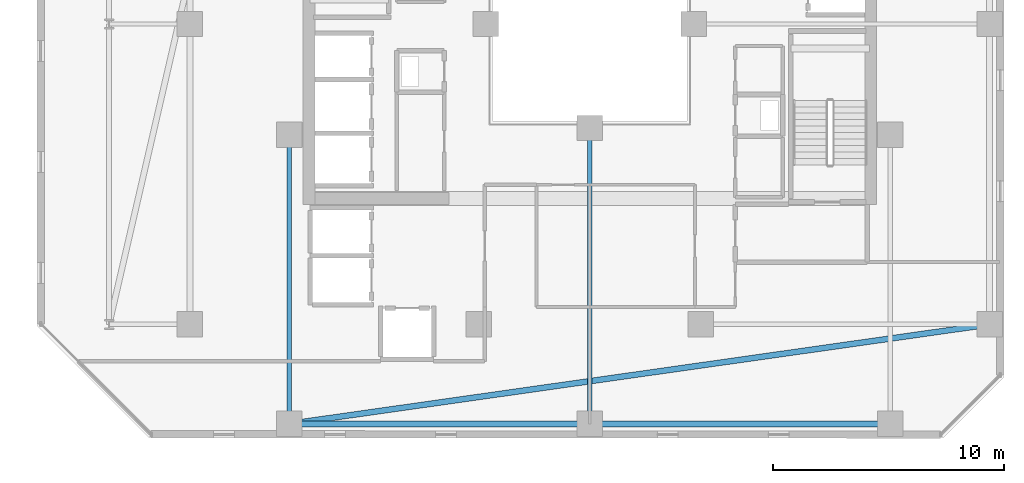
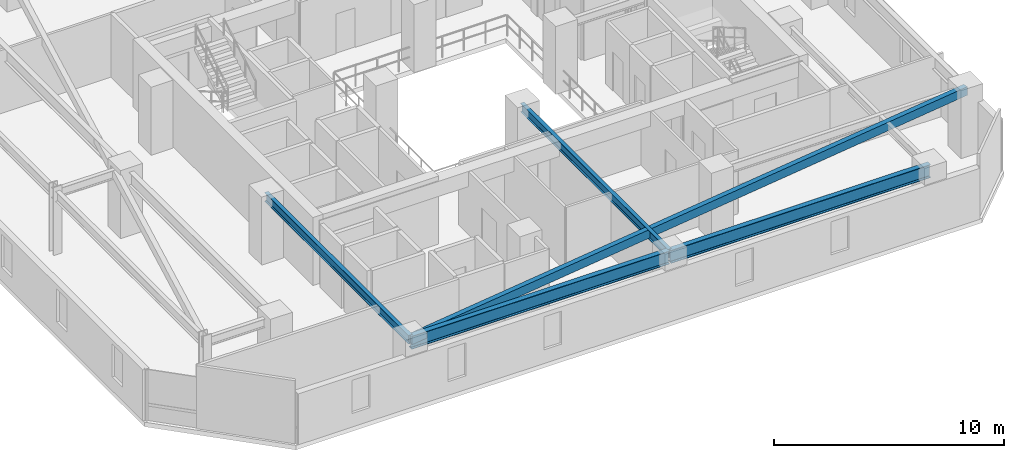
# One storey, part 12 of 33: 5 beams.
"""IFC4 building model written with IfcOpenShell, lengths in metres."""

from ifc_helpers import new_model, si_unit, direction, frame, origin, origin_2d, place, context, subcontext, project, spatial, hollow_rectangle, i_section, extrude, material, material_profile, profile_set, type_object, element, save


model = new_model("IFC4")

# Units and contexts
model_context = context("Model", 3, precision=1e-05, world=origin(), true_north=direction((0.0, 1.0)))
body_context = subcontext(model_context, "Body", "Model", "MODEL_VIEW")
ifc_project = project(units=[si_unit("LENGTHUNIT", "METRE"), si_unit("AREAUNIT", "SQUARE_METRE"), si_unit("VOLUMEUNIT", "CUBIC_METRE"), si_unit("PLANEANGLEUNIT", "RADIAN"), si_unit("MASSUNIT", "GRAM", prefix="KILO")], contexts=[model_context])

# Site, building, storey
site_placement = place(None, origin())
site = spatial("IfcSite", under=ifc_project, at=site_placement, CompositionType="ELEMENT")
building_placement = place(site_placement, origin())
building = spatial("IfcBuilding", under=site, at=building_placement, Name="Thornwick Lancets Civic Towers", CompositionType="ELEMENT")
storey_placement = place(building_placement, frame((0.0, 0.0, 192.89990234375)))
storey = spatial("IfcBuildingStorey", under=building, at=storey_placement, Name="L51", CompositionType="ELEMENT", Elevation=192.89990234375)

# Beams
ifc_material = material(Name="Steel S355JR", Category="steel")
ifc_material_profile_1 = material_profile(ifc_material, i_section(OverallWidth=0.255859375, OverallDepth=0.69287109375, WebThickness=0.014404296875, FlangeThickness=0.023681640625, FilletRadius=0.01513671875, at=origin_2d()), Name="UKB 686x254x170")
ifc_profile_set_1 = profile_set([ifc_material_profile_1], Name="Steel S355JR")
beam_type_1 = type_object("IfcBeamType", Name="BM_GIRD_686_170", PredefinedType="BEAM", material=ifc_profile_set_1)
beam_1_placement = place(storey_placement, frame((101.5, 9.699951171875, 3.013671875), z_axis=(-1.0, 0.0, 0.0), x_axis=(0.0, -1.0, 0.0)))
element("IfcBeam", 1, at=beam_1_placement, inside=storey, type_object=beam_type_1, Name="BM-SPINE-L51-B-9-10", PredefinedType="BEAM", context=body_context, shape_type="SweptSolid", body=[
    extrude(i_section(OverallWidth=0.255859375, OverallDepth=0.69287109375, WebThickness=0.014404296875, FlangeThickness=0.023681640625, FilletRadius=0.01513671875, at=origin_2d()), origin(), (0.0, 0.0, 1.0), 13.0),
])
beam_2_placement = place(storey_placement, frame((88.419921875, 9.699951171875, 3.013671875), z_axis=(-1.0, 0.0, 0.0), x_axis=(0.0, -1.0, 0.0)))
element("IfcBeam", 2, at=beam_2_placement, inside=storey, type_object=beam_type_1, Name="BM-SPINE-L51-B-10-11", PredefinedType="BEAM", context=body_context, shape_type="SweptSolid", body=[
    extrude(i_section(OverallWidth=0.255859375, OverallDepth=0.69287109375, WebThickness=0.014404296875, FlangeThickness=0.023681640625, FilletRadius=0.01513671875, at=origin_2d()), origin(), (0.0, 0.0, 1.0), 12.919921875),
])
ifc_material_profile_2 = material_profile(ifc_material, i_section(OverallWidth=0.19189453125, OverallDepth=0.46337890625, WebThickness=0.010498046875, FlangeThickness=0.017578125, FilletRadius=0.01025390625, at=origin_2d()), Name="UKB 457x191x89")
ifc_profile_set_2 = profile_set([ifc_material_profile_2], Name="Steel S355JR")
beam_type_2 = type_object("IfcBeamType", Name="BM_JOIST_457_89", PredefinedType="JOIST", material=ifc_profile_set_2)
beam_3_placement = place(storey_placement, frame((88.5, 22.5, 3.12841796875), z_axis=(0.0, -1.0, 0.0), x_axis=(1.0, 0.0, 0.0)))
element("IfcBeam", 3, at=beam_3_placement, inside=storey, type_object=beam_type_2, Name="BM-RADIN-L51-B11", PredefinedType="JOIST", context=body_context, shape_type="SweptSolid", body=[
    extrude(i_section(OverallWidth=0.19189453125, OverallDepth=0.46337890625, WebThickness=0.010498046875, FlangeThickness=0.017578125, FilletRadius=0.01025390625, at=origin_2d()), origin(), (0.0, 0.0, 1.0), 12.800048828125),
])
beam_4_placement = place(storey_placement, frame((75.5, 22.199951171875, 3.12841796875), z_axis=(0.0, -1.0, 0.0), x_axis=(1.0, 0.0, 0.0)))
element("IfcBeam", 4, at=beam_4_placement, inside=storey, type_object=beam_type_2, Name="BM-RADIN-L51-B12", PredefinedType="JOIST", context=body_context, shape_type="SweptSolid", body=[
    extrude(i_section(OverallWidth=0.19189453125, OverallDepth=0.46337890625, WebThickness=0.010498046875, FlangeThickness=0.017578125, FilletRadius=0.01025390625, at=origin_2d()), origin(), (0.0, 0.0, 1.0), 12.5),
])
ifc_material_profile_3 = material_profile(ifc_material, hollow_rectangle(XDim=0.25, YDim=0.449951171875, WallThickness=0.01611328125, at=origin_2d()), Name="RHS 450x250x16")
ifc_profile_set_3 = profile_set([ifc_material_profile_3], Name="Steel S355JR")
beam_type_3 = type_object("IfcBeamType", Name="BM_RING_RHS450", PredefinedType="BEAM", material=ifc_profile_set_3)
beam_5_placement = place(storey_placement, frame((75.5, 9.699951171875, 3.135009765625), z_axis=(0.990079584012, 0.140507712682, 0.0), x_axis=(-0.140507712682, 0.990079584012, 0.0)))
element("IfcBeam", 5, at=beam_5_placement, inside=storey, type_object=beam_type_3, Name="BM-CHAMF-L51-B-C3", PredefinedType="BEAM", context=body_context, shape_type="SweptSolid", body=[
    extrude(hollow_rectangle(XDim=0.25, YDim=0.449951171875, WallThickness=0.01611328125, at=origin_2d()), origin(), (0.0, 0.0, 1.0), 30.603759765625),
])

save(model, "model.ifc")
